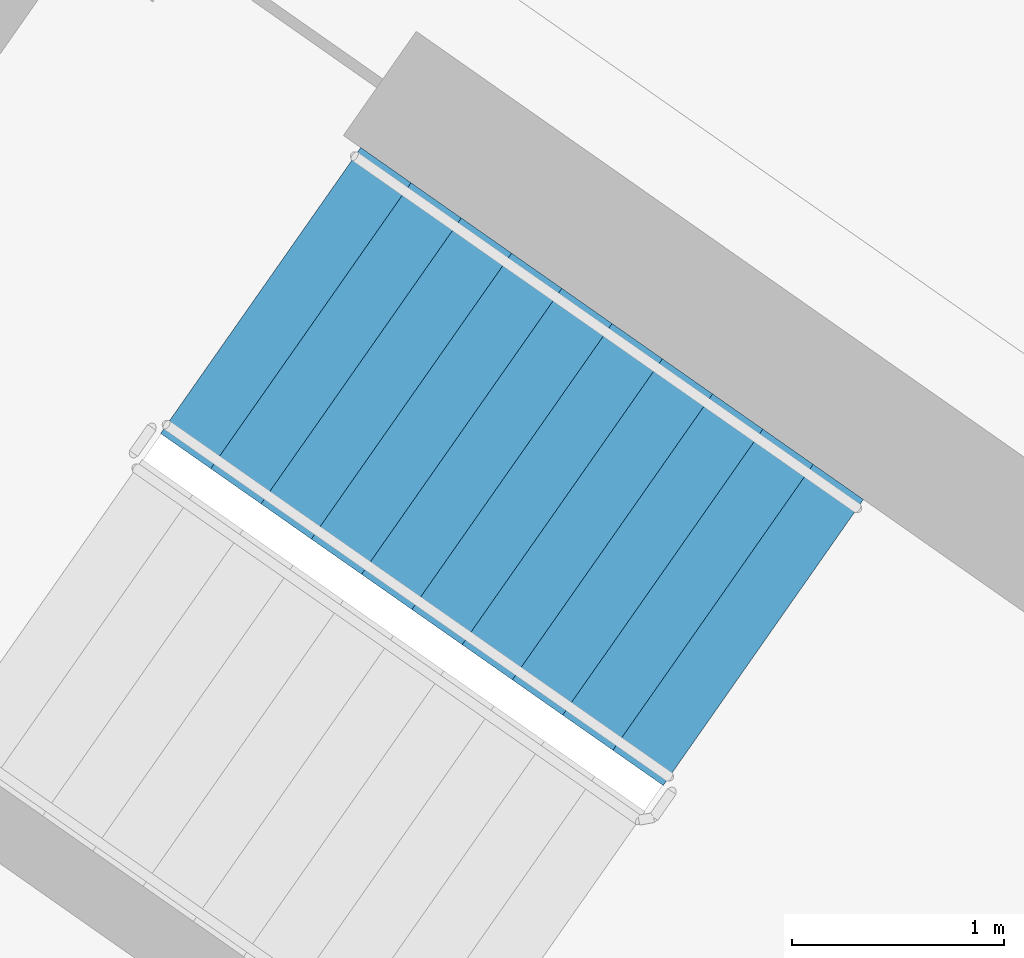
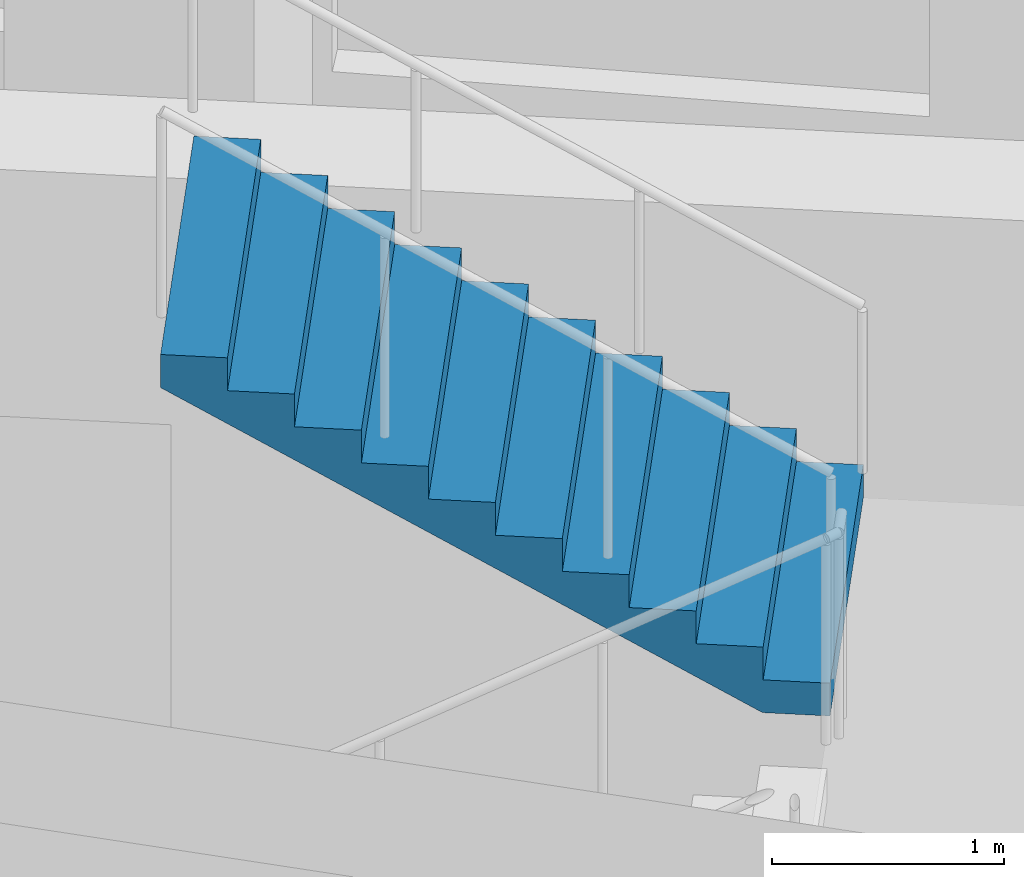
# One storey, part 12 of 27: 1 stair flight, 1 element without a shape of its own.
"""IFC4 building model written with IfcOpenShell, lengths in metres."""

from ifc_helpers import new_model, si_unit, direction, frame, origin, place, context, subcontext, project, spatial, faceted_brep, material, type_object, element, aggregate, save


model = new_model("IFC4")

# Units and contexts
model_context = context("Model", 3, precision=1e-05, world=origin(), true_north=direction((0.0, 1.0)))
body_context = subcontext(model_context, "Body", "Model", "MODEL_VIEW")
ifc_project = project(units=[si_unit("LENGTHUNIT", "METRE"), si_unit("AREAUNIT", "SQUARE_METRE"), si_unit("VOLUMEUNIT", "CUBIC_METRE"), si_unit("PLANEANGLEUNIT", "RADIAN"), si_unit("MASSUNIT", "GRAM", prefix="KILO")], contexts=[model_context])

# Site, building, storey
site_placement = place(None, origin())
site = spatial("IfcSite", under=ifc_project, at=site_placement, CompositionType="ELEMENT")
building_placement = place(site_placement, origin())
building = spatial("IfcBuilding", under=site, at=building_placement, Name="Qamariyya Broadcast Tower", CompositionType="ELEMENT")
storey_placement = place(building_placement, frame((0.0, 0.0, 194.89990234375)))
storey = spatial("IfcBuildingStorey", under=building, at=storey_placement, Name="L46", CompositionType="ELEMENT", Elevation=194.89990234375)

# Stair, stair flight
ifc_material = material(Name="Concrete C50/60", Category="concrete")
stair_type = type_object("IfcStairType", Name="Exit stair 22 risers of 173 mm", PredefinedType="HALF_TURN_STAIR", material=ifc_material)
stair_placement = place(storey_placement, origin())
stair = element("IfcStair", 1, at=stair_placement, inside=storey, type_object=stair_type, Name="L46 Stair W2", PredefinedType="HALF_TURN_STAIR")
stair_flight_type = type_object("IfcStairFlightType", Name="Exit stair flight 11 risers of 173 mm", PredefinedType="STRAIGHT", material=ifc_material)
stair_flight_placement = place(storey_placement, frame((-38.18310546875, -49.3486328125, 1.900146484375), z_axis=(0.0, 0.0, 1.0), x_axis=(-0.819152044289, 0.573576436351, 0.0)))
stair_flight = element("IfcStairFlight", 2, at=stair_flight_placement, type_object=stair_flight_type, Name="ST-W2 flight 2", NumberOfRisers=11, NumberOfTreads=10, PredefinedType="STRAIGHT", RiserHeight=0.172727273, TreadLength=0.29, context=body_context, shape_type="Brep", body=[
    faceted_brep([(0.0, 0.824951171875, 0.0), (0.0, 0.824951171875, 0.172607421875), (0.2900390625, 0.824951171875, 0.172607421875), (0.2900390625, 0.824951171875, 0.345458984375), (0.580078125, 0.824951171875, 0.345458984375), (0.580078125, 0.824951171875, 0.51806640625), (0.8701171875, 0.824951171875, 0.51806640625), (0.8701171875, 0.824951171875, 0.69091796875), (1.159912109375, 0.824951171875, 0.69091796875), (1.159912109375, 0.824951171875, 0.863525390625), (1.449951171875, 0.824951171875, 0.863525390625), (1.449951171875, 0.824951171875, 1.036376953125), (1.739990234375, 0.824951171875, 1.036376953125), (1.739990234375, 0.824951171875, 1.208984375), (2.030029296875, 0.824951171875, 1.208984375), (2.030029296875, 0.824951171875, 1.3818359375), (2.320068359375, 0.824951171875, 1.3818359375), (2.320068359375, 0.824951171875, 1.554443359375), (2.610107421875, 0.824951171875, 1.554443359375), (2.610107421875, 0.824951171875, 1.727294921875), (2.89990234375, 0.824951171875, 1.727294921875), (2.89990234375, 0.824951171875, 1.552734375), (0.29296875, 0.824951171875, 0.0), (0.29296875, -0.824951171875, 0.0), (2.89990234375, -0.824951171875, 1.552734375), (2.89990234375, -0.824951171875, 1.727294921875), (2.610107421875, -0.824951171875, 1.727294921875), (2.610107421875, -0.824951171875, 1.554443359375), (2.320068359375, -0.824951171875, 1.554443359375), (2.320068359375, -0.824951171875, 1.3818359375), (2.030029296875, -0.824951171875, 1.3818359375), (2.030029296875, -0.824951171875, 1.208984375), (1.739990234375, -0.824951171875, 1.208984375), (1.739990234375, -0.824951171875, 1.036376953125), (1.449951171875, -0.824951171875, 1.036376953125), (1.449951171875, -0.824951171875, 0.863525390625), (1.159912109375, -0.824951171875, 0.863525390625), (1.159912109375, -0.824951171875, 0.69091796875), (0.8701171875, -0.824951171875, 0.69091796875), (0.8701171875, -0.824951171875, 0.51806640625), (0.580078125, -0.824951171875, 0.51806640625), (0.580078125, -0.824951171875, 0.345458984375), (0.2900390625, -0.824951171875, 0.345458984375), (0.2900390625, -0.824951171875, 0.172607421875), (0.0, -0.824951171875, 0.172607421875), (0.0, -0.824951171875, 0.0), (0.0, 0.10009765625, 0.0), (0.0, 0.086669921875, 0.0), (0.0, 0.0732421875, 0.0), (0.0, 0.06005859375, 0.0), (0.0, 0.046630859375, 0.0), (0.0, 0.033447265625, 0.0), (0.0, 0.02001953125, 0.0), (0.0, 0.006591796875, 0.0), (0.0, -0.006591796875, 0.0), (0.0, -0.02001953125, 0.0), (0.0, -0.033447265625, 0.0), (0.0, -0.046630859375, 0.0), (0.0, -0.06005859375, 0.0), (0.0, -0.0732421875, 0.0), (0.0, -0.086669921875, 0.0), (0.0, -0.10009765625, 0.0), (0.0, -0.10009765625, 0.172607421875), (0.0, -0.086669921875, 0.172607421875), (0.0, -0.0732421875, 0.172607421875), (0.0, -0.06005859375, 0.172607421875), (0.0, -0.046630859375, 0.172607421875), (0.0, -0.033447265625, 0.172607421875), (0.0, -0.02001953125, 0.172607421875), (0.0, -0.006591796875, 0.172607421875), (0.0, 0.006591796875, 0.172607421875), (0.0, 0.02001953125, 0.172607421875), (0.0, 0.033447265625, 0.172607421875), (0.0, 0.046630859375, 0.172607421875), (0.0, 0.06005859375, 0.172607421875), (0.0, 0.0732421875, 0.172607421875), (0.0, 0.086669921875, 0.172607421875), (0.0, 0.10009765625, 0.172607421875), (0.2900390625, -0.10009765625, 0.172607421875), (0.2900390625, -0.086669921875, 0.172607421875), (0.2900390625, -0.0732421875, 0.172607421875), (0.2900390625, -0.06005859375, 0.172607421875), (0.2900390625, -0.046630859375, 0.172607421875), (0.2900390625, -0.033447265625, 0.172607421875), (0.2900390625, -0.02001953125, 0.172607421875), (0.2900390625, -0.006591796875, 0.172607421875), (0.2900390625, 0.006591796875, 0.172607421875), (0.2900390625, 0.02001953125, 0.172607421875), (0.2900390625, 0.033447265625, 0.172607421875), (0.2900390625, 0.046630859375, 0.172607421875), (0.2900390625, 0.06005859375, 0.172607421875), (0.2900390625, 0.0732421875, 0.172607421875), (0.2900390625, 0.086669921875, 0.172607421875), (0.2900390625, 0.10009765625, 0.172607421875), (0.2900390625, -0.10009765625, 0.345458984375), (0.2900390625, -0.086669921875, 0.345458984375), (0.2900390625, -0.0732421875, 0.345458984375), (0.2900390625, -0.06005859375, 0.345458984375), (0.2900390625, -0.046630859375, 0.345458984375), (0.2900390625, -0.033447265625, 0.345458984375), (0.2900390625, -0.02001953125, 0.345458984375), (0.2900390625, -0.006591796875, 0.345458984375), (0.2900390625, 0.006591796875, 0.345458984375), (0.2900390625, 0.02001953125, 0.345458984375), (0.2900390625, 0.033447265625, 0.345458984375), (0.2900390625, 0.046630859375, 0.345458984375), (0.2900390625, 0.06005859375, 0.345458984375), (0.2900390625, 0.0732421875, 0.345458984375), (0.2900390625, 0.086669921875, 0.345458984375), (0.2900390625, 0.10009765625, 0.345458984375), (0.580078125, -0.10009765625, 0.345458984375), (0.580078125, -0.086669921875, 0.345458984375), (0.580078125, -0.0732421875, 0.345458984375), (0.580078125, -0.06005859375, 0.345458984375), (0.580078125, -0.046630859375, 0.345458984375), (0.580078125, -0.033447265625, 0.345458984375), (0.580078125, -0.02001953125, 0.345458984375), (0.580078125, -0.006591796875, 0.345458984375), (0.580078125, 0.006591796875, 0.345458984375), (0.580078125, 0.02001953125, 0.345458984375), (0.580078125, 0.033447265625, 0.345458984375), (0.580078125, 0.046630859375, 0.345458984375), (0.580078125, 0.06005859375, 0.345458984375), (0.580078125, 0.0732421875, 0.345458984375), (0.580078125, 0.086669921875, 0.345458984375), (0.580078125, 0.10009765625, 0.345458984375), (0.580078125, -0.10009765625, 0.51806640625), (0.580078125, -0.086669921875, 0.51806640625), (0.580078125, -0.0732421875, 0.51806640625), (0.580078125, -0.06005859375, 0.51806640625), (0.580078125, -0.046630859375, 0.51806640625), (0.580078125, -0.033447265625, 0.51806640625), (0.580078125, -0.02001953125, 0.51806640625), (0.580078125, -0.006591796875, 0.51806640625), (0.580078125, 0.006591796875, 0.51806640625), (0.580078125, 0.02001953125, 0.51806640625), (0.580078125, 0.033447265625, 0.51806640625), (0.580078125, 0.046630859375, 0.51806640625), (0.580078125, 0.06005859375, 0.51806640625), (0.580078125, 0.0732421875, 0.51806640625), (0.580078125, 0.086669921875, 0.51806640625), (0.580078125, 0.10009765625, 0.51806640625), (0.8701171875, -0.10009765625, 0.51806640625), (0.8701171875, -0.086669921875, 0.51806640625), (0.8701171875, -0.0732421875, 0.51806640625), (0.8701171875, -0.06005859375, 0.51806640625), (0.8701171875, -0.046630859375, 0.51806640625), (0.8701171875, -0.033447265625, 0.51806640625), (0.8701171875, -0.02001953125, 0.51806640625), (0.8701171875, -0.006591796875, 0.51806640625), (0.8701171875, 0.006591796875, 0.51806640625), (0.8701171875, 0.02001953125, 0.51806640625), (0.8701171875, 0.033447265625, 0.51806640625), (0.8701171875, 0.046630859375, 0.51806640625), (0.8701171875, 0.06005859375, 0.51806640625), (0.8701171875, 0.0732421875, 0.51806640625), (0.8701171875, 0.086669921875, 0.51806640625), (0.8701171875, 0.10009765625, 0.51806640625), (0.8701171875, -0.10009765625, 0.69091796875), (0.8701171875, -0.086669921875, 0.69091796875), (0.8701171875, -0.0732421875, 0.69091796875), (0.8701171875, -0.06005859375, 0.69091796875), (0.8701171875, -0.046630859375, 0.69091796875), (0.8701171875, -0.033447265625, 0.69091796875), (0.8701171875, -0.02001953125, 0.69091796875), (0.8701171875, -0.006591796875, 0.69091796875), (0.8701171875, 0.006591796875, 0.69091796875), (0.8701171875, 0.02001953125, 0.69091796875), (0.8701171875, 0.033447265625, 0.69091796875), (0.8701171875, 0.046630859375, 0.69091796875), (0.8701171875, 0.06005859375, 0.69091796875), (0.8701171875, 0.0732421875, 0.69091796875), (0.8701171875, 0.086669921875, 0.69091796875), (0.8701171875, 0.10009765625, 0.69091796875), (1.159912109375, -0.10009765625, 0.69091796875), (1.159912109375, -0.086669921875, 0.69091796875), (1.159912109375, -0.0732421875, 0.69091796875), (1.159912109375, -0.06005859375, 0.69091796875), (1.159912109375, -0.046630859375, 0.69091796875), (1.159912109375, -0.033447265625, 0.69091796875), (1.159912109375, -0.02001953125, 0.69091796875), (1.159912109375, -0.006591796875, 0.69091796875), (1.159912109375, 0.006591796875, 0.69091796875), (1.159912109375, 0.02001953125, 0.69091796875), (1.159912109375, 0.033447265625, 0.69091796875), (1.159912109375, 0.046630859375, 0.69091796875), (1.159912109375, 0.06005859375, 0.69091796875), (1.159912109375, 0.0732421875, 0.69091796875), (1.159912109375, 0.086669921875, 0.69091796875), (1.159912109375, 0.10009765625, 0.69091796875), (1.159912109375, -0.10009765625, 0.863525390625), (1.159912109375, -0.086669921875, 0.863525390625), (1.159912109375, -0.0732421875, 0.863525390625), (1.159912109375, -0.06005859375, 0.863525390625), (1.159912109375, -0.046630859375, 0.863525390625), (1.159912109375, -0.033447265625, 0.863525390625), (1.159912109375, -0.02001953125, 0.863525390625), (1.159912109375, -0.006591796875, 0.863525390625), (1.159912109375, 0.006591796875, 0.863525390625), (1.159912109375, 0.02001953125, 0.863525390625), (1.159912109375, 0.033447265625, 0.863525390625), (1.159912109375, 0.046630859375, 0.863525390625), (1.159912109375, 0.06005859375, 0.863525390625), (1.159912109375, 0.0732421875, 0.863525390625), (1.159912109375, 0.086669921875, 0.863525390625), (1.159912109375, 0.10009765625, 0.863525390625), (1.449951171875, -0.10009765625, 0.863525390625), (1.449951171875, -0.086669921875, 0.863525390625), (1.449951171875, -0.0732421875, 0.863525390625), (1.449951171875, -0.06005859375, 0.863525390625), (1.449951171875, -0.046630859375, 0.863525390625), (1.449951171875, -0.033447265625, 0.863525390625), (1.449951171875, -0.02001953125, 0.863525390625), (1.449951171875, -0.006591796875, 0.863525390625), (1.449951171875, 0.006591796875, 0.863525390625), (1.449951171875, 0.02001953125, 0.863525390625), (1.449951171875, 0.033447265625, 0.863525390625), (1.449951171875, 0.046630859375, 0.863525390625), (1.449951171875, 0.06005859375, 0.863525390625), (1.449951171875, 0.0732421875, 0.863525390625), (1.449951171875, 0.086669921875, 0.863525390625), (1.449951171875, 0.10009765625, 0.863525390625), (1.449951171875, -0.10009765625, 1.036376953125), (1.449951171875, -0.086669921875, 1.036376953125), (1.449951171875, -0.0732421875, 1.036376953125), (1.449951171875, -0.06005859375, 1.036376953125), (1.449951171875, -0.046630859375, 1.036376953125), (1.449951171875, -0.033447265625, 1.036376953125), (1.449951171875, -0.02001953125, 1.036376953125), (1.449951171875, -0.006591796875, 1.036376953125), (1.449951171875, 0.006591796875, 1.036376953125), (1.449951171875, 0.02001953125, 1.036376953125), (1.449951171875, 0.033447265625, 1.036376953125), (1.449951171875, 0.046630859375, 1.036376953125), (1.449951171875, 0.06005859375, 1.036376953125), (1.449951171875, 0.0732421875, 1.036376953125), (1.449951171875, 0.086669921875, 1.036376953125), (1.449951171875, 0.10009765625, 1.036376953125), (1.739990234375, -0.10009765625, 1.036376953125), (1.739990234375, -0.086669921875, 1.036376953125), (1.739990234375, -0.0732421875, 1.036376953125), (1.739990234375, -0.06005859375, 1.036376953125), (1.739990234375, -0.046630859375, 1.036376953125), (1.739990234375, -0.033447265625, 1.036376953125), (1.739990234375, -0.02001953125, 1.036376953125), (1.739990234375, -0.006591796875, 1.036376953125), (1.739990234375, 0.006591796875, 1.036376953125), (1.739990234375, 0.02001953125, 1.036376953125), (1.739990234375, 0.033447265625, 1.036376953125), (1.739990234375, 0.046630859375, 1.036376953125), (1.739990234375, 0.06005859375, 1.036376953125), (1.739990234375, 0.0732421875, 1.036376953125), (1.739990234375, 0.086669921875, 1.036376953125), (1.739990234375, 0.10009765625, 1.036376953125), (1.739990234375, -0.10009765625, 1.208984375), (1.739990234375, -0.086669921875, 1.208984375), (1.739990234375, -0.0732421875, 1.208984375), (1.739990234375, -0.06005859375, 1.208984375), (1.739990234375, -0.046630859375, 1.208984375), (1.739990234375, -0.033447265625, 1.208984375), (1.739990234375, -0.02001953125, 1.208984375), (1.739990234375, -0.006591796875, 1.208984375), (1.739990234375, 0.006591796875, 1.208984375), (1.739990234375, 0.02001953125, 1.208984375), (1.739990234375, 0.033447265625, 1.208984375), (1.739990234375, 0.046630859375, 1.208984375), (1.739990234375, 0.06005859375, 1.208984375), (1.739990234375, 0.0732421875, 1.208984375), (1.739990234375, 0.086669921875, 1.208984375), (1.739990234375, 0.10009765625, 1.208984375), (2.030029296875, -0.10009765625, 1.208984375), (2.030029296875, -0.086669921875, 1.208984375), (2.030029296875, -0.0732421875, 1.208984375), (2.030029296875, -0.06005859375, 1.208984375), (2.030029296875, -0.046630859375, 1.208984375), (2.030029296875, -0.033447265625, 1.208984375), (2.030029296875, -0.02001953125, 1.208984375), (2.030029296875, -0.006591796875, 1.208984375), (2.030029296875, 0.006591796875, 1.208984375), (2.030029296875, 0.02001953125, 1.208984375), (2.030029296875, 0.033447265625, 1.208984375), (2.030029296875, 0.046630859375, 1.208984375), (2.030029296875, 0.06005859375, 1.208984375), (2.030029296875, 0.0732421875, 1.208984375), (2.030029296875, 0.086669921875, 1.208984375), (2.030029296875, 0.10009765625, 1.208984375), (2.030029296875, -0.10009765625, 1.3818359375), (2.030029296875, -0.086669921875, 1.3818359375), (2.030029296875, -0.0732421875, 1.3818359375), (2.030029296875, -0.06005859375, 1.3818359375), (2.030029296875, -0.046630859375, 1.3818359375), (2.030029296875, -0.033447265625, 1.3818359375), (2.030029296875, -0.02001953125, 1.3818359375), (2.030029296875, -0.006591796875, 1.3818359375), (2.030029296875, 0.006591796875, 1.3818359375), (2.030029296875, 0.02001953125, 1.3818359375), (2.030029296875, 0.033447265625, 1.3818359375), (2.030029296875, 0.046630859375, 1.3818359375), (2.030029296875, 0.06005859375, 1.3818359375), (2.030029296875, 0.0732421875, 1.3818359375), (2.030029296875, 0.086669921875, 1.3818359375), (2.030029296875, 0.10009765625, 1.3818359375), (2.320068359375, -0.10009765625, 1.3818359375), (2.320068359375, -0.086669921875, 1.3818359375), (2.320068359375, -0.0732421875, 1.3818359375), (2.320068359375, -0.06005859375, 1.3818359375), (2.320068359375, -0.046630859375, 1.3818359375), (2.320068359375, -0.033447265625, 1.3818359375), (2.320068359375, -0.02001953125, 1.3818359375), (2.320068359375, -0.006591796875, 1.3818359375), (2.320068359375, 0.006591796875, 1.3818359375), (2.320068359375, 0.02001953125, 1.3818359375), (2.320068359375, 0.033447265625, 1.3818359375), (2.320068359375, 0.046630859375, 1.3818359375), (2.320068359375, 0.06005859375, 1.3818359375), (2.320068359375, 0.0732421875, 1.3818359375), (2.320068359375, 0.086669921875, 1.3818359375), (2.320068359375, 0.10009765625, 1.3818359375), (2.320068359375, -0.10009765625, 1.554443359375), (2.320068359375, -0.086669921875, 1.554443359375), (2.320068359375, -0.0732421875, 1.554443359375), (2.320068359375, -0.06005859375, 1.554443359375), (2.320068359375, -0.046630859375, 1.554443359375), (2.320068359375, -0.033447265625, 1.554443359375), (2.320068359375, -0.02001953125, 1.554443359375), (2.320068359375, -0.006591796875, 1.554443359375), (2.320068359375, 0.006591796875, 1.554443359375), (2.320068359375, 0.02001953125, 1.554443359375), (2.320068359375, 0.033447265625, 1.554443359375), (2.320068359375, 0.046630859375, 1.554443359375), (2.320068359375, 0.06005859375, 1.554443359375), (2.320068359375, 0.0732421875, 1.554443359375), (2.320068359375, 0.086669921875, 1.554443359375), (2.320068359375, 0.10009765625, 1.554443359375), (2.610107421875, -0.10009765625, 1.554443359375), (2.610107421875, -0.086669921875, 1.554443359375), (2.610107421875, -0.0732421875, 1.554443359375), (2.610107421875, -0.06005859375, 1.554443359375), (2.610107421875, -0.046630859375, 1.554443359375), (2.610107421875, -0.033447265625, 1.554443359375), (2.610107421875, -0.02001953125, 1.554443359375), (2.610107421875, -0.006591796875, 1.554443359375), (2.610107421875, 0.006591796875, 1.554443359375), (2.610107421875, 0.02001953125, 1.554443359375), (2.610107421875, 0.033447265625, 1.554443359375), (2.610107421875, 0.046630859375, 1.554443359375), (2.610107421875, 0.06005859375, 1.554443359375), (2.610107421875, 0.0732421875, 1.554443359375), (2.610107421875, 0.086669921875, 1.554443359375), (2.610107421875, 0.10009765625, 1.554443359375), (2.610107421875, -0.10009765625, 1.727294921875), (2.610107421875, -0.086669921875, 1.727294921875), (2.610107421875, -0.0732421875, 1.727294921875), (2.610107421875, -0.06005859375, 1.727294921875), (2.610107421875, -0.046630859375, 1.727294921875), (2.610107421875, -0.033447265625, 1.727294921875), (2.610107421875, -0.02001953125, 1.727294921875), (2.610107421875, -0.006591796875, 1.727294921875), (2.610107421875, 0.006591796875, 1.727294921875), (2.610107421875, 0.02001953125, 1.727294921875), (2.610107421875, 0.033447265625, 1.727294921875), (2.610107421875, 0.046630859375, 1.727294921875), (2.610107421875, 0.06005859375, 1.727294921875), (2.610107421875, 0.0732421875, 1.727294921875), (2.610107421875, 0.086669921875, 1.727294921875), (2.610107421875, 0.10009765625, 1.727294921875), (2.89990234375, -0.10009765625, 1.727294921875), (2.89990234375, -0.086669921875, 1.727294921875), (2.89990234375, -0.0732421875, 1.727294921875), (2.89990234375, -0.06005859375, 1.727294921875), (2.89990234375, -0.046630859375, 1.727294921875), (2.89990234375, -0.033447265625, 1.727294921875), (2.89990234375, -0.02001953125, 1.727294921875), (2.89990234375, -0.006591796875, 1.727294921875), (2.89990234375, 0.006591796875, 1.727294921875), (2.89990234375, 0.02001953125, 1.727294921875), (2.89990234375, 0.033447265625, 1.727294921875), (2.89990234375, 0.046630859375, 1.727294921875), (2.89990234375, 0.06005859375, 1.727294921875), (2.89990234375, 0.0732421875, 1.727294921875), (2.89990234375, 0.086669921875, 1.727294921875), (2.89990234375, 0.10009765625, 1.727294921875), (2.89990234375, -0.10009765625, 1.552734375), (2.89990234375, -0.086669921875, 1.552734375), (2.89990234375, -0.0732421875, 1.552734375), (2.89990234375, -0.06005859375, 1.552734375), (2.89990234375, -0.046630859375, 1.552734375), (2.89990234375, -0.033447265625, 1.552734375), (2.89990234375, -0.02001953125, 1.552734375), (2.89990234375, -0.006591796875, 1.552734375), (2.89990234375, 0.006591796875, 1.552734375), (2.89990234375, 0.02001953125, 1.552734375), (2.89990234375, 0.033447265625, 1.552734375), (2.89990234375, 0.046630859375, 1.552734375), (2.89990234375, 0.06005859375, 1.552734375), (2.89990234375, 0.0732421875, 1.552734375), (2.89990234375, 0.086669921875, 1.552734375), (2.89990234375, 0.10009765625, 1.552734375), (0.29296875, -0.10009765625, 0.0), (0.29296875, -0.086669921875, 0.0), (0.29296875, -0.0732421875, 0.0), (0.29296875, -0.06005859375, 0.0), (0.29296875, -0.046630859375, 0.0), (0.29296875, -0.033447265625, 0.0), (0.29296875, -0.02001953125, 0.0), (0.29296875, -0.006591796875, 0.0), (0.29296875, 0.006591796875, 0.0), (0.29296875, 0.02001953125, 0.0), (0.29296875, 0.033447265625, 0.0), (0.29296875, 0.046630859375, 0.0), (0.29296875, 0.06005859375, 0.0), (0.29296875, 0.0732421875, 0.0), (0.29296875, 0.086669921875, 0.0), (0.29296875, 0.10009765625, 0.0)], [[[0, 1, 2, 3, 4, 5, 6, 7, 8, 9, 10, 11, 12, 13, 14, 15, 16, 17, 18, 19, 20, 21, 22]], [[23, 24, 25, 26, 27, 28, 29, 30, 31, 32, 33, 34, 35, 36, 37, 38, 39, 40, 41, 42, 43, 44, 45]], [[0, 46, 47, 48, 49, 50, 51, 52, 53, 54, 55, 56, 57, 58, 59, 60, 61, 45, 44, 62, 63, 64, 65, 66, 67, 68, 69, 70, 71, 72, 73, 74, 75, 76, 77, 1]], [[1, 77, 76, 75, 74, 73, 72, 71, 70, 69, 68, 67, 66, 65, 64, 63, 62, 44, 43, 78, 79, 80, 81, 82, 83, 84, 85, 86, 87, 88, 89, 90, 91, 92, 93, 2]], [[2, 93, 92, 91, 90, 89, 88, 87, 86, 85, 84, 83, 82, 81, 80, 79, 78, 43, 42, 94, 95, 96, 97, 98, 99, 100, 101, 102, 103, 104, 105, 106, 107, 108, 109, 3]], [[3, 109, 108, 107, 106, 105, 104, 103, 102, 101, 100, 99, 98, 97, 96, 95, 94, 42, 41, 110, 111, 112, 113, 114, 115, 116, 117, 118, 119, 120, 121, 122, 123, 124, 125, 4]], [[4, 125, 124, 123, 122, 121, 120, 119, 118, 117, 116, 115, 114, 113, 112, 111, 110, 41, 40, 126, 127, 128, 129, 130, 131, 132, 133, 134, 135, 136, 137, 138, 139, 140, 141, 5]], [[5, 141, 140, 139, 138, 137, 136, 135, 134, 133, 132, 131, 130, 129, 128, 127, 126, 40, 39, 142, 143, 144, 145, 146, 147, 148, 149, 150, 151, 152, 153, 154, 155, 156, 157, 6]], [[6, 157, 156, 155, 154, 153, 152, 151, 150, 149, 148, 147, 146, 145, 144, 143, 142, 39, 38, 158, 159, 160, 161, 162, 163, 164, 165, 166, 167, 168, 169, 170, 171, 172, 173, 7]], [[7, 173, 172, 171, 170, 169, 168, 167, 166, 165, 164, 163, 162, 161, 160, 159, 158, 38, 37, 174, 175, 176, 177, 178, 179, 180, 181, 182, 183, 184, 185, 186, 187, 188, 189, 8]], [[8, 189, 188, 187, 186, 185, 184, 183, 182, 181, 180, 179, 178, 177, 176, 175, 174, 37, 36, 190, 191, 192, 193, 194, 195, 196, 197, 198, 199, 200, 201, 202, 203, 204, 205, 9]], [[9, 205, 204, 203, 202, 201, 200, 199, 198, 197, 196, 195, 194, 193, 192, 191, 190, 36, 35, 206, 207, 208, 209, 210, 211, 212, 213, 214, 215, 216, 217, 218, 219, 220, 221, 10]], [[10, 221, 220, 219, 218, 217, 216, 215, 214, 213, 212, 211, 210, 209, 208, 207, 206, 35, 34, 222, 223, 224, 225, 226, 227, 228, 229, 230, 231, 232, 233, 234, 235, 236, 237, 11]], [[11, 237, 236, 235, 234, 233, 232, 231, 230, 229, 228, 227, 226, 225, 224, 223, 222, 34, 33, 238, 239, 240, 241, 242, 243, 244, 245, 246, 247, 248, 249, 250, 251, 252, 253, 12]], [[12, 253, 252, 251, 250, 249, 248, 247, 246, 245, 244, 243, 242, 241, 240, 239, 238, 33, 32, 254, 255, 256, 257, 258, 259, 260, 261, 262, 263, 264, 265, 266, 267, 268, 269, 13]], [[13, 269, 268, 267, 266, 265, 264, 263, 262, 261, 260, 259, 258, 257, 256, 255, 254, 32, 31, 270, 271, 272, 273, 274, 275, 276, 277, 278, 279, 280, 281, 282, 283, 284, 285, 14]], [[14, 285, 284, 283, 282, 281, 280, 279, 278, 277, 276, 275, 274, 273, 272, 271, 270, 31, 30, 286, 287, 288, 289, 290, 291, 292, 293, 294, 295, 296, 297, 298, 299, 300, 301, 15]], [[15, 301, 300, 299, 298, 297, 296, 295, 294, 293, 292, 291, 290, 289, 288, 287, 286, 30, 29, 302, 303, 304, 305, 306, 307, 308, 309, 310, 311, 312, 313, 314, 315, 316, 317, 16]], [[16, 317, 316, 315, 314, 313, 312, 311, 310, 309, 308, 307, 306, 305, 304, 303, 302, 29, 28, 318, 319, 320, 321, 322, 323, 324, 325, 326, 327, 328, 329, 330, 331, 332, 333, 17]], [[17, 333, 332, 331, 330, 329, 328, 327, 326, 325, 324, 323, 322, 321, 320, 319, 318, 28, 27, 334, 335, 336, 337, 338, 339, 340, 341, 342, 343, 344, 345, 346, 347, 348, 349, 18]], [[18, 349, 348, 347, 346, 345, 344, 343, 342, 341, 340, 339, 338, 337, 336, 335, 334, 27, 26, 350, 351, 352, 353, 354, 355, 356, 357, 358, 359, 360, 361, 362, 363, 364, 365, 19]], [[19, 365, 364, 363, 362, 361, 360, 359, 358, 357, 356, 355, 354, 353, 352, 351, 350, 26, 25, 366, 367, 368, 369, 370, 371, 372, 373, 374, 375, 376, 377, 378, 379, 380, 381, 20]], [[20, 381, 380, 379, 378, 377, 376, 375, 374, 373, 372, 371, 370, 369, 368, 367, 366, 25, 24, 382, 383, 384, 385, 386, 387, 388, 389, 390, 391, 392, 393, 394, 395, 396, 397, 21]], [[21, 397, 396, 395, 394, 393, 392, 391, 390, 389, 388, 387, 386, 385, 384, 383, 382, 24, 23, 398, 399, 400, 401, 402, 403, 404, 405, 406, 407, 408, 409, 410, 411, 412, 413, 22]], [[22, 413, 412, 411, 410, 409, 408, 407, 406, 405, 404, 403, 402, 401, 400, 399, 398, 23, 45, 61, 60, 59, 58, 57, 56, 55, 54, 53, 52, 51, 50, 49, 48, 47, 46, 0]]]),
])
aggregate(stair, [stair_flight])

save(model, "model.ifc")
